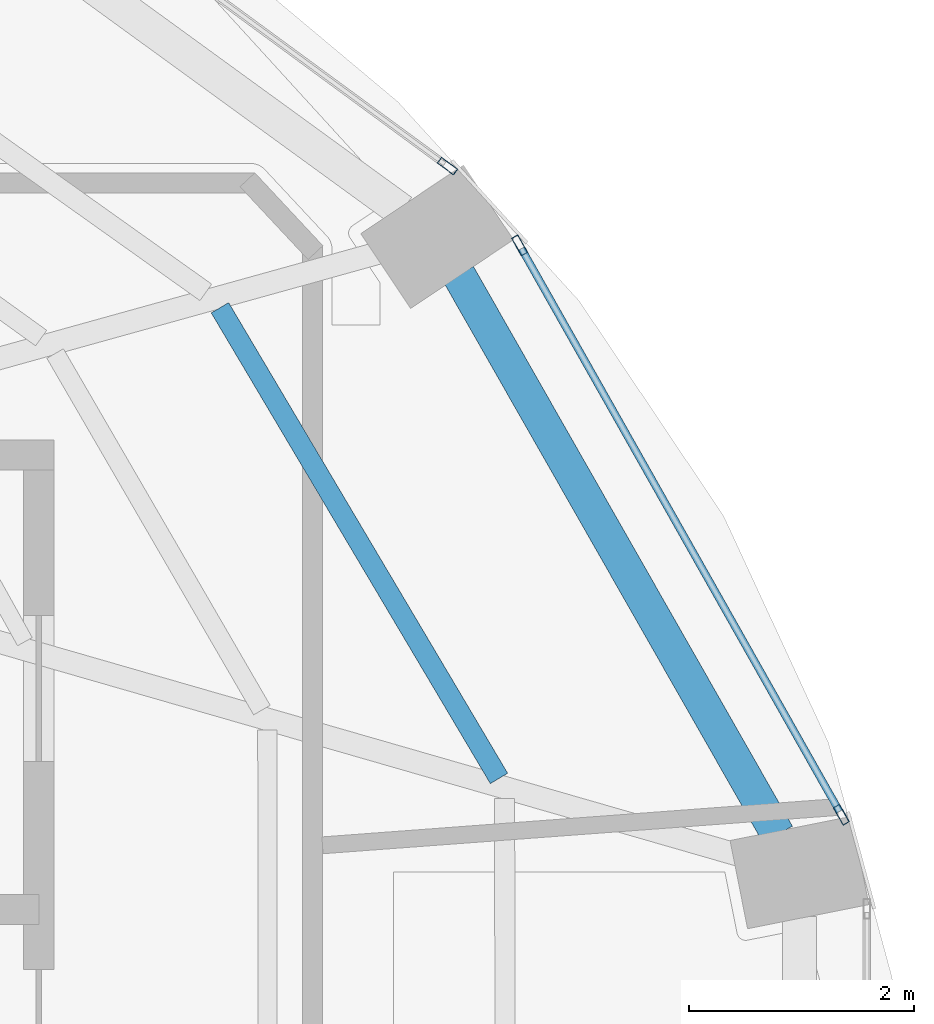
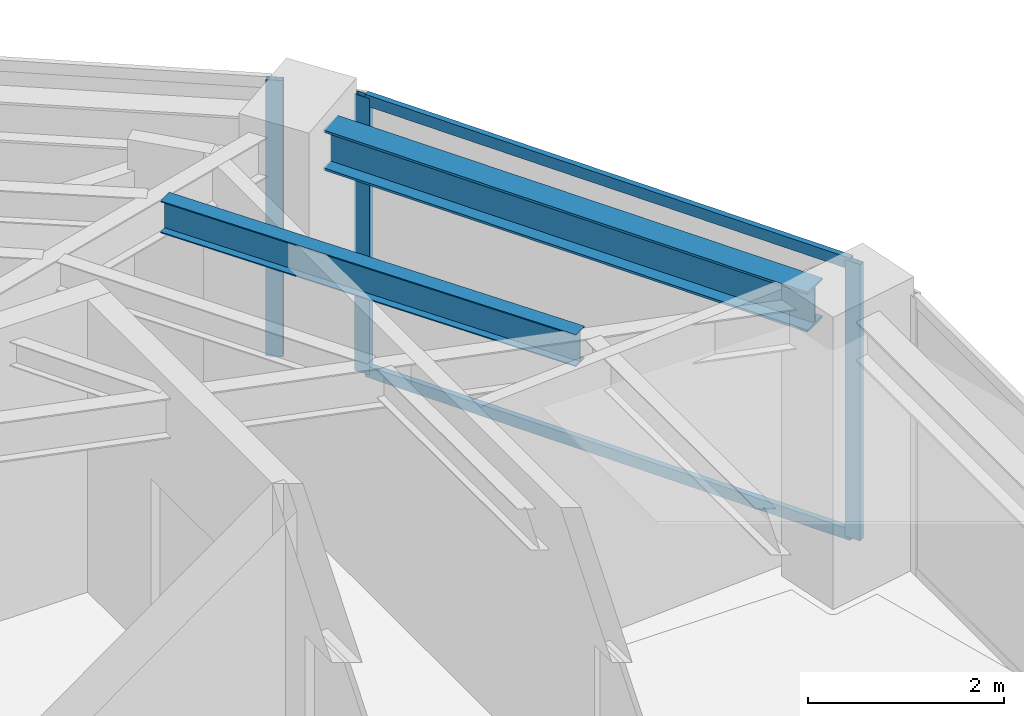
# One storey, part 8 of 15: 5 members, 2 beams, 2 elements without a shape of their own.
"""IFC4 building model written with IfcOpenShell, lengths in metres."""

from ifc_helpers import new_model, si_unit, direction, frame, origin, origin_2d, place, context, subcontext, project, spatial, hollow_rectangle, i_section, extrude, material, layer, layer_set, material_profile, profile_set, type_object, element, aggregate, save


model = new_model("IFC4")

# Units and contexts
model_context = context("Model", 3, precision=1e-05, world=origin(), true_north=direction((0.0, 1.0)))
body_context = subcontext(model_context, "Body", "Model", "MODEL_VIEW")
ifc_project = project(units=[si_unit("LENGTHUNIT", "METRE"), si_unit("AREAUNIT", "SQUARE_METRE"), si_unit("VOLUMEUNIT", "CUBIC_METRE"), si_unit("PLANEANGLEUNIT", "RADIAN"), si_unit("MASSUNIT", "GRAM", prefix="KILO")], contexts=[model_context])

# Site, building, storey
site_placement = place(None, origin())
site = spatial("IfcSite", under=ifc_project, at=site_placement, CompositionType="ELEMENT")
building_placement = place(site_placement, origin())
building = spatial("IfcBuilding", under=site, at=building_placement, Name="Lazwardi Medical Tower", CompositionType="ELEMENT")
storey_placement = place(building_placement, frame((0.0, 0.0, 284.2080078125)))
storey = spatial("IfcBuildingStorey", under=building, at=storey_placement, Name="L74", CompositionType="ELEMENT", Elevation=284.2080078125)

# Beams
ifc_material_1 = material(Name="Steel S355", Category="steel")
ifc_material_profile_1 = material_profile(ifc_material_1, i_section(OverallWidth=0.300048828125, OverallDepth=0.5, WebThickness=0.014404296875, FlangeThickness=0.028076171875, at=origin_2d()), Name="HEB 500")
ifc_profile_set_1 = profile_set([ifc_material_profile_1], Name="Steel S355")
beam_type_1 = type_object("IfcBeamType", Name="BM-RB-Z4", PredefinedType="BEAM", material=ifc_profile_set_1)
beam_1_placement = place(storey_placement, frame((56.991943359375, 32.601806640625, 3.197998046875), z_axis=(-0.495125273299, 0.868821594886, 0.0), x_axis=(-0.868821594886, -0.495125273299, 0.0)))
element("IfcBeam", 1, at=beam_1_placement, inside=storey, type_object=beam_type_1, Name="Ring beam RB-05 B05 L74", PredefinedType="BEAM", context=body_context, shape_type="SweptSolid", body=[
    extrude(i_section(OverallWidth=0.300048828125, OverallDepth=0.5, WebThickness=0.014404296875, FlangeThickness=0.028076171875, at=origin_2d()), origin(), (0.0, 0.0, 1.0), 5.734130859375),
])
ifc_material_profile_2 = material_profile(ifc_material_1, i_section(OverallWidth=0.179931640625, OverallDepth=0.39990234375, WebThickness=0.008544921875, FlangeThickness=0.013427734375, at=origin_2d()), Name="IPE 400")
ifc_profile_set_2 = profile_set([ifc_material_profile_2], Name="Steel S355")
beam_type_2 = type_object("IfcBeamType", Name="BM-SJ-01", PredefinedType="JOIST", material=ifc_profile_set_2)
beam_2_placement = place(storey_placement, frame((54.510986328125, 33.100830078125, 3.248046875), z_axis=(-0.510029083291, 0.860157156685, 0.0), x_axis=(-0.860157156685, -0.510029083291, 0.0)))
element("IfcBeam", 2, at=beam_2_placement, inside=storey, type_object=beam_type_2, Name="Secondary joist SJ-01 R1 B05 L74", PredefinedType="JOIST", context=body_context, shape_type="SweptSolid", body=[
    extrude(i_section(OverallWidth=0.179931640625, OverallDepth=0.39990234375, WebThickness=0.008544921875, FlangeThickness=0.013427734375, at=origin_2d()), origin(), (0.0, 0.0, 1.0), 4.87060546875),
])

# Curtain wall, members
ifc_material_2 = material(Name="Anodised bronze aluminium and solar control glazing", Category="aluminium")
ifc_layer = layer(ifc_material_2, 0.18994140625)
ifc_layer_set = layer_set([ifc_layer], Name="Anodised bronze aluminium and solar control glazing")
curtain_wall_type = type_object("IfcCurtainWallType", Name="CW-SYS-04", PredefinedType="NOTDEFINED", material=ifc_layer_set)
curtain_wall_1_placement = place(storey_placement, origin())
curtain_wall_1 = element("IfcCurtainWall", 3, at=curtain_wall_1_placement, inside=storey, type_object=curtain_wall_type, Name="L74 Unitised bronze curtain wall CW-04", PredefinedType="NOTDEFINED")
ifc_material_3 = material(Name="Anodised bronze aluminium", Category="aluminium")
ifc_material_profile_3 = material_profile(ifc_material_3, hollow_rectangle(XDim=0.06494140625, YDim=0.179931640625, WallThickness=0.00390625, at=origin_2d()), Name="ALU-MULLION 180x65x4")
ifc_profile_set_3 = profile_set([ifc_material_profile_3], Name="Anodised bronze aluminium")
member_type_1 = type_object("IfcMemberType", Name="CW-MUL-03", PredefinedType="MULLION", material=ifc_profile_set_3)
member_1_placement = place(storey_placement, frame((57.557373046875, 32.778076171875, 0.0), z_axis=(0.0, 0.0, 1.0), x_axis=(-0.870651436011, -0.491900474661, 0.0)))
member_1 = element("IfcMember", 4, at=member_1_placement, type_object=member_type_1, Name="CW-04 mullion 1", PredefinedType="MULLION", context=body_context, shape_type="SweptSolid", body=[
    extrude(hollow_rectangle(XDim=0.06494140625, YDim=0.179931640625, WallThickness=0.00390625, at=origin_2d()), origin(), (0.0, 0.0, 1.0), 3.447998046875),
])
member_2_placement = place(storey_placement, frame((54.6943359375, 37.845458984375, 0.0), z_axis=(0.0, 0.0, 1.0), x_axis=(-0.870651436011, -0.491900474661, 0.0)))
member_2 = element("IfcMember", 5, at=member_2_placement, type_object=member_type_1, Name="CW-04 mullion 2", PredefinedType="MULLION", context=body_context, shape_type="SweptSolid", body=[
    extrude(hollow_rectangle(XDim=0.06494140625, YDim=0.179931640625, WallThickness=0.00390625, at=origin_2d()), origin(), (0.0, 0.0, 1.0), 3.447998046875),
])

# Curtain wall, member
curtain_wall_2_placement = place(storey_placement, origin())
curtain_wall_2 = element("IfcCurtainWall", 6, at=curtain_wall_2_placement, inside=storey, type_object=curtain_wall_type, Name="L74 Unitised bronze curtain wall CW-04", PredefinedType="NOTDEFINED")
member_3_placement = place(storey_placement, frame((54.052001953125, 38.551513671875, 0.0), z_axis=(0.0, 0.0, 1.0), x_axis=(-0.591268230971, -0.806474971121, 0.0)))
member_3 = element("IfcMember", 7, at=member_3_placement, type_object=member_type_1, Name="CW-04 mullion 1", PredefinedType="MULLION", context=body_context, shape_type="SweptSolid", body=[
    extrude(hollow_rectangle(XDim=0.06494140625, YDim=0.179931640625, WallThickness=0.00390625, at=origin_2d()), origin(), (0.0, 0.0, 1.0), 3.447998046875),
])
aggregate(curtain_wall_2, [member_3])

# Member
ifc_material_profile_4 = material_profile(ifc_material_3, hollow_rectangle(XDim=0.06494140625, YDim=0.139892578125, WallThickness=0.00341796875, at=origin_2d()), Name="ALU-TRANSOM 140x65x3.5")
ifc_profile_set_4 = profile_set([ifc_material_profile_4], Name="Anodised bronze aluminium")
member_type_2 = type_object("IfcMemberType", Name="CW-TRN-03", PredefinedType="USERDEFINED", material=ifc_profile_set_4)
member_4_placement = place(storey_placement, frame((57.541259765625, 32.806396484375, 0.032470703125), z_axis=(-0.491879719484, 0.87066316194, 0.0), x_axis=(-0.87066316194, -0.491879719484, 0.0)))
member_4 = element("IfcMember", 8, at=member_4_placement, type_object=member_type_2, Name="CW-04 transom 1.1", ObjectType="TRANSOM", PredefinedType="USERDEFINED", context=body_context, shape_type="SweptSolid", body=[
    extrude(hollow_rectangle(XDim=0.06494140625, YDim=0.139892578125, WallThickness=0.00341796875, at=origin_2d()), origin(), (0.0, 0.0, 1.0), 5.755126953125),
])

member_5_placement = place(storey_placement, frame((57.541259765625, 32.806396484375, 3.41552734375), z_axis=(-0.491879719484, 0.87066316194, 0.0), x_axis=(-0.87066316194, -0.491879719484, 0.0)))
member_5 = element("IfcMember", 9, at=member_5_placement, type_object=member_type_2, Name="CW-04 transom 1.2", ObjectType="TRANSOM", PredefinedType="USERDEFINED", context=body_context, shape_type="SweptSolid", body=[
    extrude(hollow_rectangle(XDim=0.06494140625, YDim=0.139892578125, WallThickness=0.00341796875, at=origin_2d()), origin(), (0.0, 0.0, 1.0), 5.755126953125),
])

aggregate(curtain_wall_1, [member_1, member_2, member_4, member_5])

save(model, "model.ifc")
